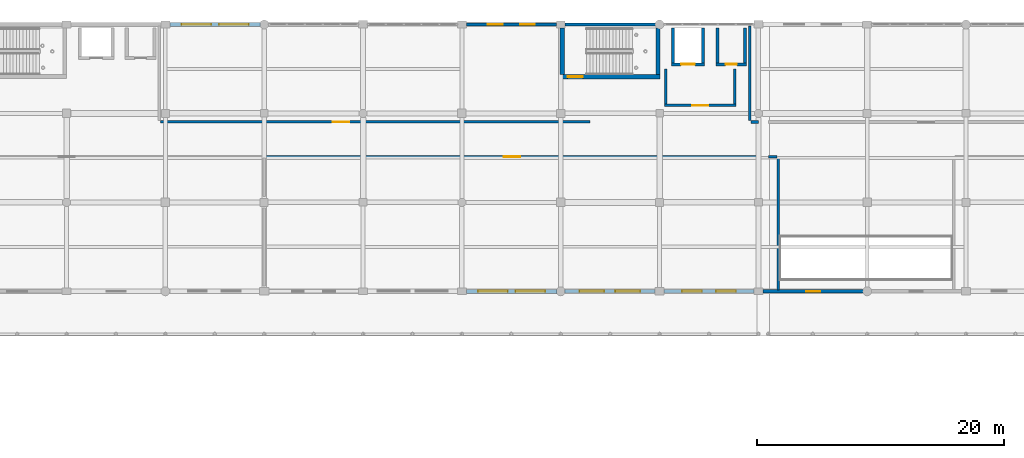
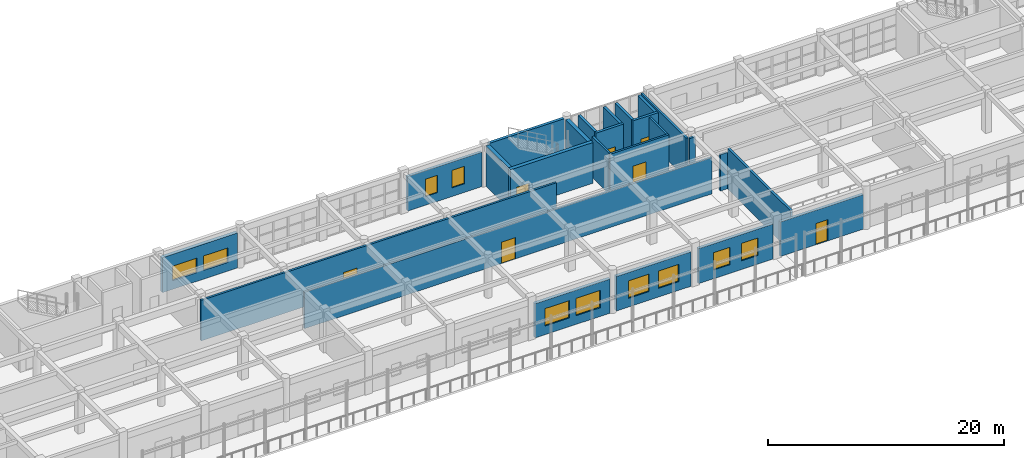
# One storey, part 132 of 160: 25 walls, 10 windows, 7 doors, 17 openings.
"""IFC4 building model written with IfcOpenShell, lengths in metres."""

from ifc_helpers import new_model, si_unit, direction, frame, frame_2d, origin, place, context, subcontext, project, spatial, rectangle, extrude, material, layer, layer_set, type_object, element, fill, save


model = new_model("IFC4")

# Units and contexts
model_context = context("Model", 3, precision=1e-05, world=origin(), true_north=direction((0.0, 1.0)))
body_context = subcontext(model_context, "Body", "Model", "MODEL_VIEW")
ifc_project = project(units=[si_unit("LENGTHUNIT", "METRE"), si_unit("AREAUNIT", "SQUARE_METRE"), si_unit("VOLUMEUNIT", "CUBIC_METRE"), si_unit("PLANEANGLEUNIT", "RADIAN"), si_unit("MASSUNIT", "GRAM", prefix="KILO")], contexts=[model_context])

# Site, building, storey
site_placement = place(None, origin())
site = spatial("IfcSite", under=ifc_project, at=site_placement, CompositionType="ELEMENT")
building_placement = place(site_placement, origin())
building = spatial("IfcBuilding", under=site, at=building_placement, Name="Kharva Crest Polytechnic", CompositionType="ELEMENT")
storey_placement = place(building_placement, frame((0.0, 0.0, 4.5)))
storey = spatial("IfcBuildingStorey", under=building, at=storey_placement, Name="L01", CompositionType="ELEMENT", Elevation=4.5)

# Wall, opening, door
ifc_material_1 = material(Name="Concrete C40/50", Category="concrete")
ifc_layer_1 = layer(ifc_material_1, 0.35009765625, Name="Concrete C40/50")
ifc_layer_set_1 = layer_set([ifc_layer_1], Name="Concrete C40/50")
wall_type_1 = type_object("IfcWallType", Name="WL-CORE-CW1-350", PredefinedType="SHEAR", material=ifc_layer_set_1)
wall_1_placement = place(storey_placement, frame((103.949951171875, 117.764892578125, 0.0), z_axis=(0.0, 0.0, 1.0), x_axis=(1.0, 0.0, 0.0)))
wall_1 = element("IfcWall", 1, at=wall_1_placement, inside=storey, type_object=wall_type_1, Name="L01 North Crest Firefighting Core C4 South Shear Wall", PredefinedType="SHEAR", context=body_context, shape_type="SweptSolid", body=[
    extrude(rectangle(XDim=8.10009765625, YDim=0.35009765625, at=frame_2d((4.050048828125, 0.0))), origin(), (0.0, 0.0, 1.0), 4.219970703125),
])
opening_1_placement = place(wall_1_placement, frame((0.60009765625, 0.0, 0.0)))
opening_1 = element("IfcOpeningElement", 2, at=opening_1_placement, cuts=wall_1, Name="Opening FD1B", PredefinedType="OPENING", context=body_context, shape_type="SweptSolid", body=[
    extrude(rectangle(XDim=1.25, YDim=2.199951171875, at=frame_2d((0.625, 1.10009765625))), frame((0.0, 0.18505859375, 0.0), z_axis=(0.0, -1.0, 0.0), x_axis=(1.0, 0.0, 0.0)), (0.0, 0.0, 1.0), 0.3701171875),
])
ifc_material_2 = material(Name="Teak timber", Category="wood")
door_type_1 = type_object("IfcDoorType", Name="DR-STAIR-1250X2200", OperationType="NOTDEFINED", PredefinedType="DOOR", material=ifc_material_2)
door_1_placement = place(opening_1_placement, origin())
door_1 = element("IfcDoor", 3, at=door_1_placement, inside=storey, type_object=door_type_1, Name="L01 ST-04 Stair Door", OperationType="SINGLE_SWING_RIGHT", OverallHeight=2.199951171875, OverallWidth=1.25, PredefinedType="DOOR", context=body_context, shape_type="SweptSolid", body=[
    extrude(rectangle(XDim=1.25, YDim=2.199951171875, at=frame_2d((0.625, 1.10009765625))), frame((0.0, 0.02490234375, 0.0), z_axis=(0.0, -1.0, 0.0), x_axis=(1.0, 0.0, 0.0)), (0.0, 0.0, 1.0), 0.050048828125),
])
fill(opening_1, door_1)

# Walls
for number, where, z_axis, x_axis, name in (
    (4, (104.125, 117.93994140625, 0.0), (0.0, 0.0, 1.0), (0.0, 1.0, 0.0), "L01 North Crest Firefighting Core C4 West Shear Wall"),
    (5, (111.875, 117.93994140625, 0.0), (0.0, 0.0, 1.0), (0.0, 1.0, 0.0), "L01 North Crest Firefighting Core C4 East Shear Wall"),
):
    element("IfcWall", number, at=place(storey_placement, frame(where, z_axis=z_axis, x_axis=x_axis)), inside=storey, type_object=wall_type_1, Name=name, PredefinedType="SHEAR", context=body_context, shape_type="SweptSolid", body=[
        extrude(rectangle(XDim=3.760009765625, YDim=0.35009765625, at=frame_2d((1.8798828125, 0.0))), origin(), (0.0, 0.0, 1.0), 4.219970703125),
    ])

# Wall, openings, windows
ifc_material_3 = material(Name="Kiln brick masonry", Category="masonry")
ifc_layer_2 = layer(ifc_material_3, 0.260009765625, Name="Kiln brick masonry")
ifc_layer_set_2 = layer_set([ifc_layer_2], Name="Kiln brick masonry")
wall_type_2 = type_object("IfcWallType", Name="WL-EXT-BRK-260", PredefinedType="SOLIDWALL", material=ifc_layer_set_2)
wall_2_placement = place(storey_placement, frame((103.64501953125, 122.0, 0.0), z_axis=(0.0, 0.0, 1.0), x_axis=(-1.0, 0.0, 0.0)))
wall_2 = element("IfcWall", 6, at=wall_2_placement, inside=storey, type_object=wall_type_2, Name="L01 Exterior Brick Wall 206", PredefinedType="SOLIDWALL", context=body_context, shape_type="SweptSolid", body=[
    extrude(rectangle(XDim=7.27490234375, YDim=0.260009765625, at=frame_2d((3.637451171875, 0.0))), origin(), (0.0, 0.0, 1.0), 3.570068359375),
])
opening_2_placement = place(wall_2_placement, frame((1.73193359375, 0.0, 0.89990234375)))
opening_2 = element("IfcOpeningElement", 7, at=opening_2_placement, cuts=wall_2, Name="Opening W08", PredefinedType="OPENING", context=body_context, shape_type="SweptSolid", body=[
    extrude(rectangle(XDim=1.199951171875, YDim=1.800048828125, at=frame_2d((0.60009765625, 0.89990234375))), frame((0.0, 0.139892578125, 0.0), z_axis=(0.0, -1.0, 0.0), x_axis=(1.0, 0.0, 0.0)), (0.0, 0.0, 1.0), 0.280029296875),
])
opening_3_placement = place(wall_2_placement, frame((4.343017578125, 0.0, 0.89990234375)))
opening_3 = element("IfcOpeningElement", 8, at=opening_3_placement, cuts=wall_2, Name="Opening W08", PredefinedType="OPENING", context=body_context, shape_type="SweptSolid", body=[
    extrude(rectangle(XDim=1.199951171875, YDim=1.800048828125, at=frame_2d((0.60009765625, 0.89990234375))), frame((0.0, 0.139892578125, 0.0), z_axis=(0.0, -1.0, 0.0), x_axis=(1.0, 0.0, 0.0)), (0.0, 0.0, 1.0), 0.280029296875),
])
ifc_material_4 = material(Name="Anodised aluminium", Category="aluminium")
window_type_1 = type_object("IfcWindowType", Name="WIN-ALU-1200X1800", PartitioningType="SINGLE_PANEL", PredefinedType="WINDOW", material=ifc_material_4)
window_1_placement = place(opening_2_placement, origin())
window_1 = element("IfcWindow", 9, at=window_1_placement, inside=storey, type_object=window_type_1, Name="L01 Exterior Window 270", OverallHeight=1.800048828125, OverallWidth=1.199951171875, PartitioningType="SINGLE_PANEL", PredefinedType="WINDOW", context=body_context, shape_type="SweptSolid", body=[
    extrude(rectangle(XDim=1.199951171875, YDim=1.800048828125, at=frame_2d((0.60009765625, 0.89990234375))), frame((0.0, 0.030029296875, 0.0), z_axis=(0.0, -1.0, 0.0), x_axis=(1.0, 0.0, 0.0)), (0.0, 0.0, 1.0), 0.06005859375),
])
fill(opening_2, window_1)
window_2_placement = place(opening_3_placement, origin())
window_2 = element("IfcWindow", 10, at=window_2_placement, inside=storey, type_object=window_type_1, Name="L01 Exterior Window 271", OverallHeight=1.800048828125, OverallWidth=1.199951171875, PartitioningType="SINGLE_PANEL", PredefinedType="WINDOW", context=body_context, shape_type="SweptSolid", body=[
    extrude(rectangle(XDim=1.199951171875, YDim=1.800048828125, at=frame_2d((0.60009765625, 0.89990234375))), frame((0.0, 0.030029296875, 0.0), z_axis=(0.0, -1.0, 0.0), x_axis=(1.0, 0.0, 0.0)), (0.0, 0.0, 1.0), 0.06005859375),
])
fill(opening_3, window_2)

# Wall, opening, door
ifc_layer_3 = layer(ifc_material_3, 0.27490234375, Name="Kiln brick masonry")
ifc_layer_set_3 = layer_set([ifc_layer_3], Name="Kiln brick masonry")
wall_type_3 = type_object("IfcWallType", Name="WL-EXT-BRK-275", PredefinedType="SOLIDWALL", material=ifc_layer_set_3)
wall_3_placement = place(storey_placement, frame((120.3701171875, 100.39990234375, 0.0), z_axis=(0.0, 0.0, 1.0), x_axis=(1.0, 0.0, 0.0)))
wall_3 = element("IfcWall", 11, at=wall_3_placement, inside=storey, type_object=wall_type_3, Name="L01 Exterior Brick Wall 187", PredefinedType="SOLIDWALL", context=body_context, shape_type="SweptSolid", body=[
    extrude(rectangle(XDim=8.12744140625, YDim=0.27490234375, at=frame_2d((4.063720703125, 0.0))), origin(), (0.0, 0.0, 1.0), 3.570068359375),
])
opening_4_placement = place(wall_3_placement, frame((3.489013671875, 0.0, 0.0)))
opening_4 = element("IfcOpeningElement", 12, at=opening_4_placement, cuts=wall_3, Name="Opening ED9", PredefinedType="OPENING", context=body_context, shape_type="SweptSolid", body=[
    extrude(rectangle(XDim=1.14990234375, YDim=2.199951171875, at=frame_2d((0.574951171875, 1.10009765625))), frame((0.0, 0.1474609375, 0.0), z_axis=(0.0, -1.0, 0.0), x_axis=(1.0, 0.0, 0.0)), (0.0, 0.0, 1.0), 0.294921875),
])
door_type_2 = type_object("IfcDoorType", Name="DR-EXT-TER-1150X2200", OperationType="NOTDEFINED", PredefinedType="DOOR", material=ifc_material_4)
door_2_placement = place(opening_4_placement, frame((1.14990234375, 0.0, 0.0), z_axis=(0.0, 0.0, 1.0), x_axis=(-1.0, 0.0, 0.0)))
door_2 = element("IfcDoor", 13, at=door_2_placement, inside=storey, type_object=door_type_2, Name="L01 VER_N_L01 Access Door 38", OperationType="SINGLE_SWING_RIGHT", OverallHeight=2.199951171875, OverallWidth=1.14990234375, PredefinedType="DOOR", context=body_context, shape_type="SweptSolid", body=[
    extrude(rectangle(XDim=1.14990234375, YDim=2.199951171875, at=frame_2d((0.574951171875, 1.10009765625))), frame((0.0, 0.02490234375, 0.0), z_axis=(0.0, -1.0, 0.0), x_axis=(1.0, 0.0, 0.0)), (0.0, 0.0, 1.0), 0.050048828125),
])
fill(opening_4, door_2)

# Wall
wall_4_placement = place(storey_placement, frame((111.697509765625, 122.0, 0.0), z_axis=(0.0, 0.0, 1.0), x_axis=(-1.0, 0.0, 0.0)))
element("IfcWall", 14, at=wall_4_placement, inside=storey, type_object=wall_type_3, Name="L01 Exterior Brick Wall 205", PredefinedType="SOLIDWALL", context=body_context, shape_type="SweptSolid", body=[
    extrude(rectangle(XDim=7.342529296875, YDim=0.27490234375, at=frame_2d((3.67138671875, 0.0))), origin(), (0.0, 0.0, 1.0), 4.219970703125),
])

# Wall, openings, windows
ifc_layer_4 = layer(ifc_material_3, 0.2900390625, Name="Kiln brick masonry")
ifc_layer_set_4 = layer_set([ifc_layer_4], Name="Kiln brick masonry")
wall_type_4 = type_object("IfcWallType", Name="WL-EXT-BRK-290", PredefinedType="SOLIDWALL", material=ifc_layer_set_4)
wall_5_placement = place(storey_placement, frame((112.3701171875, 100.39990234375, 0.0), z_axis=(0.0, 0.0, 1.0), x_axis=(1.0, 0.0, 0.0)))
wall_5 = element("IfcWall", 15, at=wall_5_placement, inside=storey, type_object=wall_type_4, Name="L01 Exterior Brick Wall 186", PredefinedType="SOLIDWALL", context=body_context, shape_type="SweptSolid", body=[
    extrude(rectangle(XDim=7.259765625, YDim=0.2900390625, at=frame_2d((3.6298828125, 0.0))), origin(), (0.0, 0.0, 1.0), 3.6201171875),
])
opening_5_placement = place(wall_5_placement, frame((1.4599609375, 0.0, 0.89990234375)))
opening_5 = element("IfcOpeningElement", 16, at=opening_5_placement, cuts=wall_5, Name="Opening W06", PredefinedType="OPENING", context=body_context, shape_type="SweptSolid", body=[
    extrude(rectangle(XDim=1.60009765625, YDim=1.800048828125, at=frame_2d((0.800048828125, 0.89990234375))), frame((0.0, 0.155029296875, 0.0), z_axis=(0.0, -1.0, 0.0), x_axis=(1.0, 0.0, 0.0)), (0.0, 0.0, 1.0), 0.31005859375),
])
opening_6_placement = place(wall_5_placement, frame((4.199951171875, 0.0, 0.89990234375)))
opening_6 = element("IfcOpeningElement", 17, at=opening_6_placement, cuts=wall_5, Name="Opening W06", PredefinedType="OPENING", context=body_context, shape_type="SweptSolid", body=[
    extrude(rectangle(XDim=1.60009765625, YDim=1.800048828125, at=frame_2d((0.800048828125, 0.89990234375))), frame((0.0, 0.155029296875, 0.0), z_axis=(0.0, -1.0, 0.0), x_axis=(1.0, 0.0, 0.0)), (0.0, 0.0, 1.0), 0.31005859375),
])
window_type_2 = type_object("IfcWindowType", Name="WIN-ALU-1600X1800", PartitioningType="SINGLE_PANEL", PredefinedType="WINDOW", material=ifc_material_4)
window_3_placement = place(opening_5_placement, origin())
window_3 = element("IfcWindow", 18, at=window_3_placement, inside=storey, type_object=window_type_2, Name="L01 Exterior Window 244", OverallHeight=1.800048828125, OverallWidth=1.60009765625, PartitioningType="SINGLE_PANEL", PredefinedType="WINDOW", context=body_context, shape_type="SweptSolid", body=[
    extrude(rectangle(XDim=1.60009765625, YDim=1.800048828125, at=frame_2d((0.800048828125, 0.89990234375))), frame((0.0, 0.030029296875, 0.0), z_axis=(0.0, -1.0, 0.0), x_axis=(1.0, 0.0, 0.0)), (0.0, 0.0, 1.0), 0.06005859375),
])
fill(opening_5, window_3)
window_4_placement = place(opening_6_placement, origin())
window_4 = element("IfcWindow", 19, at=window_4_placement, inside=storey, type_object=window_type_2, Name="L01 Exterior Window 245", OverallHeight=1.800048828125, OverallWidth=1.60009765625, PartitioningType="SINGLE_PANEL", PredefinedType="WINDOW", context=body_context, shape_type="SweptSolid", body=[
    extrude(rectangle(XDim=1.60009765625, YDim=1.800048828125, at=frame_2d((0.800048828125, 0.89990234375))), frame((0.0, 0.030029296875, 0.0), z_axis=(0.0, -1.0, 0.0), x_axis=(1.0, 0.0, 0.0)), (0.0, 0.0, 1.0), 0.06005859375),
])
fill(opening_6, window_4)

ifc_layer_5 = layer(ifc_material_3, 0.304931640625, Name="Kiln brick masonry")
ifc_layer_set_5 = layer_set([ifc_layer_5], Name="Kiln brick masonry")
wall_type_5 = type_object("IfcWallType", Name="WL-EXT-BRK-305", PredefinedType="SOLIDWALL", material=ifc_layer_set_5)
wall_6_placement = place(storey_placement, frame((104.302490234375, 100.39990234375, 0.0), z_axis=(0.0, 0.0, 1.0), x_axis=(1.0, 0.0, 0.0)))
wall_6 = element("IfcWall", 20, at=wall_6_placement, inside=storey, type_object=wall_type_5, Name="L01 Exterior Brick Wall 185", PredefinedType="SOLIDWALL", context=body_context, shape_type="SweptSolid", body=[
    extrude(rectangle(XDim=7.327392578125, YDim=0.304931640625, at=frame_2d((3.66357421875, 0.0))), origin(), (0.0, 0.0, 1.0), 3.570068359375),
])
opening_7_placement = place(wall_6_placement, frame((1.216064453125, 0.0, 0.89990234375)))
opening_7 = element("IfcOpeningElement", 21, at=opening_7_placement, cuts=wall_6, Name="Opening W04", PredefinedType="OPENING", context=body_context, shape_type="SweptSolid", body=[
    extrude(rectangle(XDim=2.0, YDim=1.800048828125, at=frame_2d((1.0, 0.89990234375))), frame((0.0, 0.162353515625, 0.0), z_axis=(0.0, -1.0, 0.0), x_axis=(1.0, 0.0, 0.0)), (0.0, 0.0, 1.0), 0.324951171875),
])
opening_8_placement = place(wall_6_placement, frame((4.112060546875, 0.0, 0.89990234375)))
opening_8 = element("IfcOpeningElement", 22, at=opening_8_placement, cuts=wall_6, Name="Opening W04", PredefinedType="OPENING", context=body_context, shape_type="SweptSolid", body=[
    extrude(rectangle(XDim=2.0, YDim=1.800048828125, at=frame_2d((1.0, 0.89990234375))), frame((0.0, 0.162353515625, 0.0), z_axis=(0.0, -1.0, 0.0), x_axis=(1.0, 0.0, 0.0)), (0.0, 0.0, 1.0), 0.324951171875),
])
window_type_3 = type_object("IfcWindowType", Name="WIN-ALU-2000X1800", PartitioningType="SINGLE_PANEL", PredefinedType="WINDOW", material=ifc_material_4)
window_5_placement = place(opening_7_placement, origin())
window_5 = element("IfcWindow", 23, at=window_5_placement, inside=storey, type_object=window_type_3, Name="L01 Exterior Window 242", OverallHeight=1.800048828125, OverallWidth=2.0, PartitioningType="SINGLE_PANEL", PredefinedType="WINDOW", context=body_context, shape_type="SweptSolid", body=[
    extrude(rectangle(XDim=2.0, YDim=1.800048828125, at=frame_2d((1.0, 0.89990234375))), frame((0.0, 0.030029296875, 0.0), z_axis=(0.0, -1.0, 0.0), x_axis=(1.0, 0.0, 0.0)), (0.0, 0.0, 1.0), 0.06005859375),
])
fill(opening_7, window_5)
window_6_placement = place(opening_8_placement, origin())
window_6 = element("IfcWindow", 24, at=window_6_placement, inside=storey, type_object=window_type_3, Name="L01 Exterior Window 243", OverallHeight=1.800048828125, OverallWidth=2.0, PartitioningType="SINGLE_PANEL", PredefinedType="WINDOW", context=body_context, shape_type="SweptSolid", body=[
    extrude(rectangle(XDim=2.0, YDim=1.800048828125, at=frame_2d((1.0, 0.89990234375))), frame((0.0, 0.030029296875, 0.0), z_axis=(0.0, -1.0, 0.0), x_axis=(1.0, 0.0, 0.0)), (0.0, 0.0, 1.0), 0.06005859375),
])
fill(opening_8, window_6)

ifc_layer_6 = layer(ifc_material_3, 0.320068359375, Name="Kiln brick masonry")
ifc_layer_set_6 = layer_set([ifc_layer_6], Name="Kiln brick masonry")
wall_type_6 = type_object("IfcWallType", Name="WL-EXT-BRK-320", PredefinedType="SOLIDWALL", material=ifc_layer_set_6)
wall_7_placement = place(storey_placement, frame((96.35498046875, 100.39990234375, 0.0), z_axis=(0.0, 0.0, 1.0), x_axis=(1.0, 0.0, 0.0)))
wall_7 = element("IfcWall", 25, at=wall_7_placement, inside=storey, type_object=wall_type_6, Name="L01 Exterior Brick Wall 184", PredefinedType="SOLIDWALL", context=body_context, shape_type="SweptSolid", body=[
    extrude(rectangle(XDim=7.342529296875, YDim=0.320068359375, at=frame_2d((3.67138671875, 0.0))), origin(), (0.0, 0.0, 1.0), 3.5400390625),
])
opening_9_placement = place(wall_7_placement, frame((0.9541015625, 0.0, 0.89990234375)))
opening_9 = element("IfcOpeningElement", 26, at=opening_9_placement, cuts=wall_7, Name="Opening W02", PredefinedType="OPENING", context=body_context, shape_type="SweptSolid", body=[
    extrude(rectangle(XDim=2.39990234375, YDim=1.800048828125, at=frame_2d((1.199951171875, 0.89990234375))), frame((0.0, 0.169921875, 0.0), z_axis=(0.0, -1.0, 0.0), x_axis=(1.0, 0.0, 0.0)), (0.0, 0.0, 1.0), 0.340087890625),
])
opening_10_placement = place(wall_7_placement, frame((3.988037109375, 0.0, 0.89990234375)))
opening_10 = element("IfcOpeningElement", 27, at=opening_10_placement, cuts=wall_7, Name="Opening W02", PredefinedType="OPENING", context=body_context, shape_type="SweptSolid", body=[
    extrude(rectangle(XDim=2.39990234375, YDim=1.800048828125, at=frame_2d((1.199951171875, 0.89990234375))), frame((0.0, 0.169921875, 0.0), z_axis=(0.0, -1.0, 0.0), x_axis=(1.0, 0.0, 0.0)), (0.0, 0.0, 1.0), 0.340087890625),
])
window_type_4 = type_object("IfcWindowType", Name="WIN-ALU-2400X1800", PartitioningType="SINGLE_PANEL", PredefinedType="WINDOW", material=ifc_material_4)
window_7_placement = place(opening_9_placement, origin())
window_7 = element("IfcWindow", 28, at=window_7_placement, inside=storey, type_object=window_type_4, Name="L01 Exterior Window 240", OverallHeight=1.800048828125, OverallWidth=2.39990234375, PartitioningType="SINGLE_PANEL", PredefinedType="WINDOW", context=body_context, shape_type="SweptSolid", body=[
    extrude(rectangle(XDim=2.39990234375, YDim=1.800048828125, at=frame_2d((1.199951171875, 0.89990234375))), frame((0.0, 0.030029296875, 0.0), z_axis=(0.0, -1.0, 0.0), x_axis=(1.0, 0.0, 0.0)), (0.0, 0.0, 1.0), 0.06005859375),
])
fill(opening_9, window_7)
window_8_placement = place(opening_10_placement, origin())
window_8 = element("IfcWindow", 29, at=window_8_placement, inside=storey, type_object=window_type_4, Name="L01 Exterior Window 241", OverallHeight=1.800048828125, OverallWidth=2.39990234375, PartitioningType="SINGLE_PANEL", PredefinedType="WINDOW", context=body_context, shape_type="SweptSolid", body=[
    extrude(rectangle(XDim=2.39990234375, YDim=1.800048828125, at=frame_2d((1.199951171875, 0.89990234375))), frame((0.0, 0.030029296875, 0.0), z_axis=(0.0, -1.0, 0.0), x_axis=(1.0, 0.0, 0.0)), (0.0, 0.0, 1.0), 0.06005859375),
])
fill(opening_10, window_8)

ifc_layer_7 = layer(ifc_material_3, 0.35009765625, Name="Kiln brick masonry")
ifc_layer_set_7 = layer_set([ifc_layer_7], Name="Kiln brick masonry")
wall_type_7 = type_object("IfcWallType", Name="WL-EXT-BRK-350", PredefinedType="SOLIDWALL", material=ifc_layer_set_7)
wall_8_placement = place(storey_placement, frame((79.697509765625, 122.0, 0.0), z_axis=(0.0, 0.0, 1.0), x_axis=(-1.0, 0.0, 0.0)))
wall_8 = element("IfcWall", 30, at=wall_8_placement, inside=storey, type_object=wall_type_7, Name="L01 Exterior Brick Wall 207", PredefinedType="SOLIDWALL", context=body_context, shape_type="SweptSolid", body=[
    extrude(rectangle(XDim=7.342529296875, YDim=0.35009765625, at=frame_2d((3.67138671875, 0.0))), origin(), (0.0, 0.0, 1.0), 3.6201171875),
])
opening_11_placement = place(wall_8_placement, frame((0.9541015625, 0.0, 0.89990234375)))
opening_11 = element("IfcOpeningElement", 31, at=opening_11_placement, cuts=wall_8, Name="Opening W10", PredefinedType="OPENING", context=body_context, shape_type="SweptSolid", body=[
    extrude(rectangle(XDim=2.39990234375, YDim=1.5, at=frame_2d((1.199951171875, 0.75))), frame((0.0, 0.18505859375, 0.0), z_axis=(0.0, -1.0, 0.0), x_axis=(1.0, 0.0, 0.0)), (0.0, 0.0, 1.0), 0.3701171875),
])
opening_12_placement = place(wall_8_placement, frame((3.988037109375, 0.0, 0.89990234375)))
opening_12 = element("IfcOpeningElement", 32, at=opening_12_placement, cuts=wall_8, Name="Opening W10", PredefinedType="OPENING", context=body_context, shape_type="SweptSolid", body=[
    extrude(rectangle(XDim=2.39990234375, YDim=1.5, at=frame_2d((1.199951171875, 0.75))), frame((0.0, 0.18505859375, 0.0), z_axis=(0.0, -1.0, 0.0), x_axis=(1.0, 0.0, 0.0)), (0.0, 0.0, 1.0), 0.3701171875),
])
window_type_5 = type_object("IfcWindowType", Name="WIN-ALU-2400X1500", PartitioningType="SINGLE_PANEL", PredefinedType="WINDOW", material=ifc_material_4)
window_9_placement = place(opening_11_placement, origin())
window_9 = element("IfcWindow", 33, at=window_9_placement, inside=storey, type_object=window_type_5, Name="L01 Exterior Window 272", OverallHeight=1.5, OverallWidth=2.39990234375, PartitioningType="SINGLE_PANEL", PredefinedType="WINDOW", context=body_context, shape_type="SweptSolid", body=[
    extrude(rectangle(XDim=2.39990234375, YDim=1.5, at=frame_2d((1.199951171875, 0.75))), frame((0.0, 0.030029296875, 0.0), z_axis=(0.0, -1.0, 0.0), x_axis=(1.0, 0.0, 0.0)), (0.0, 0.0, 1.0), 0.06005859375),
])
fill(opening_11, window_9)
window_10_placement = place(opening_12_placement, origin())
window_10 = element("IfcWindow", 34, at=window_10_placement, inside=storey, type_object=window_type_5, Name="L01 Exterior Window 273", OverallHeight=1.5, OverallWidth=2.39990234375, PartitioningType="SINGLE_PANEL", PredefinedType="WINDOW", context=body_context, shape_type="SweptSolid", body=[
    extrude(rectangle(XDim=2.39990234375, YDim=1.5, at=frame_2d((1.199951171875, 0.75))), frame((0.0, 0.030029296875, 0.0), z_axis=(0.0, -1.0, 0.0), x_axis=(1.0, 0.0, 0.0)), (0.0, 0.0, 1.0), 0.06005859375),
])
fill(opening_12, window_10)

# Wall, opening, door
ifc_layer_8 = layer(ifc_material_3, 0.199951171875, Name="Kiln brick masonry")
ifc_layer_set_8 = layer_set([ifc_layer_8], Name="Kiln brick masonry")
wall_type_8 = type_object("IfcWallType", Name="WL-FIRE-FW1-200", PredefinedType="SOLIDWALL", material=ifc_layer_set_8)
wall_9_placement = place(storey_placement, frame((112.39990234375, 115.449951171875, 0.0), z_axis=(0.0, 0.0, 1.0), x_axis=(1.0, 0.0, 0.0)))
wall_9 = element("IfcWall", 35, at=wall_9_placement, inside=storey, type_object=wall_type_8, Name="L01 Firefighting Lobby FL1 South Wall", PredefinedType="SOLIDWALL", context=body_context, shape_type="SweptSolid", body=[
    extrude(rectangle(XDim=5.800048828125, YDim=0.199951171875, at=frame_2d((2.89990234375, 0.0))), origin(), (0.0, 0.0, 1.0), 4.219970703125),
])
opening_13_placement = place(wall_9_placement, frame((2.25, 0.0, 0.0)))
opening_13 = element("IfcOpeningElement", 36, at=opening_13_placement, cuts=wall_9, Name="Opening FD2", PredefinedType="OPENING", context=body_context, shape_type="SweptSolid", body=[
    extrude(rectangle(XDim=1.300048828125, YDim=2.199951171875, at=frame_2d((0.64990234375, 1.10009765625))), frame((0.0, 0.10986328125, 0.0), z_axis=(0.0, -1.0, 0.0), x_axis=(1.0, 0.0, 0.0)), (0.0, 0.0, 1.0), 0.219970703125),
])
door_type_3 = type_object("IfcDoorType", Name="DR-FFLOB-1300X2200", OperationType="NOTDEFINED", PredefinedType="DOOR", material=ifc_material_2)
door_3_placement = place(opening_13_placement, origin())
door_3 = element("IfcDoor", 37, at=door_3_placement, inside=storey, type_object=door_type_3, Name="L01 Firefighting Lobby FL1 Smoke Door", OperationType="SINGLE_SWING_LEFT", OverallHeight=2.199951171875, OverallWidth=1.300048828125, PredefinedType="DOOR", context=body_context, shape_type="SweptSolid", body=[
    extrude(rectangle(XDim=1.300048828125, YDim=2.199951171875, at=frame_2d((0.64990234375, 1.10009765625))), frame((0.0, 0.02490234375, 0.0), z_axis=(0.0, -1.0, 0.0), x_axis=(1.0, 0.0, 0.0)), (0.0, 0.0, 1.0), 0.050048828125),
])
fill(opening_13, door_3)

# Walls
for number, where, z_axis, x_axis, name in (
    (38, (112.5, 115.550048828125, 0.0), (0.0, 0.0, 1.0), (0.0, 1.0, 0.0), "L01 Firefighting Lobby FL1 West Wall"),
    (39, (118.10009765625, 115.550048828125, 0.0), (0.0, 0.0, 1.0), (0.0, 1.0, 0.0), "L01 Firefighting Lobby FL1 East Wall"),
):
    element("IfcWall", number, at=place(storey_placement, frame(where, z_axis=z_axis, x_axis=x_axis)), inside=storey, type_object=wall_type_8, Name=name, PredefinedType="SOLIDWALL", context=body_context, shape_type="SweptSolid", body=[
        extrude(rectangle(XDim=2.849853515625, YDim=0.199951171875, at=frame_2d((1.4248046875, 0.0))), origin(), (0.0, 0.0, 1.0), 4.219970703125),
    ])

# Wall, opening, door
wall_10_placement = place(storey_placement, frame((71.610107421875, 114.110107421875, 0.0), z_axis=(0.0, 0.0, 1.0), x_axis=(1.0, 0.0, 0.0)))
wall_10 = element("IfcWall", 40, at=wall_10_placement, inside=storey, type_object=wall_type_8, Name="L01 Interior Partition 183", PredefinedType="SOLIDWALL", context=body_context, shape_type="SweptSolid", body=[
    extrude(rectangle(XDim=34.769775390625, YDim=0.199951171875, at=frame_2d((17.384765625, 0.0))), origin(), (0.0, 0.0, 1.0), 4.199951171875),
])
opening_14_placement = place(wall_10_placement, frame((13.927978515625, 0.0, 0.0)))
opening_14 = element("IfcOpeningElement", 41, at=opening_14_placement, cuts=wall_10, Name="Opening ID6", PredefinedType="OPENING", context=body_context, shape_type="SweptSolid", body=[
    extrude(rectangle(XDim=1.35009765625, YDim=2.199951171875, at=frame_2d((0.675048828125, 1.10009765625))), frame((0.0, 0.10986328125, 0.0), z_axis=(0.0, -1.0, 0.0), x_axis=(1.0, 0.0, 0.0)), (0.0, 0.0, 1.0), 0.219970703125),
])
door_type_4 = type_object("IfcDoorType", Name="DR-LAB-1350X2200", OperationType="NOTDEFINED", PredefinedType="DOOR", material=ifc_material_2)
door_4_placement = place(opening_14_placement, origin())
door_4 = element("IfcDoor", 42, at=door_4_placement, inside=storey, type_object=door_type_4, Name="L01 Analytical Chemistry Laboratory Door", OperationType="SINGLE_SWING_RIGHT", OverallHeight=2.199951171875, OverallWidth=1.35009765625, PredefinedType="DOOR", context=body_context, shape_type="SweptSolid", body=[
    extrude(rectangle(XDim=1.35009765625, YDim=2.199951171875, at=frame_2d((0.675048828125, 1.10009765625))), frame((0.0, 0.02490234375, 0.0), z_axis=(0.0, -1.0, 0.0), x_axis=(1.0, 0.0, 0.0)), (0.0, 0.0, 1.0), 0.050048828125),
])
fill(opening_14, door_4)

ifc_layer_9 = layer(ifc_material_3, 0.18994140625, Name="Kiln brick masonry")
ifc_layer_set_9 = layer_set([ifc_layer_9], Name="Kiln brick masonry")
wall_type_9 = type_object("IfcWallType", Name="WL-PART-190", PredefinedType="PARTITIONING", material=ifc_layer_set_9)
wall_11_placement = place(storey_placement, frame((80.1201171875, 111.2900390625, 0.0), z_axis=(0.0, 0.0, 1.0), x_axis=(1.0, 0.0, 0.0)))
wall_11 = element("IfcWall", 43, at=wall_11_placement, inside=storey, type_object=wall_type_9, Name="L01 Interior Partition 175 W", PredefinedType="PARTITIONING", context=body_context, shape_type="SweptSolid", body=[
    extrude(rectangle(XDim=39.8798828125, YDim=0.18994140625, at=frame_2d((19.93994140625, 0.0))), origin(), (0.0, 0.0, 1.0), 3.760009765625),
])
opening_15_placement = place(wall_11_placement, frame((19.264892578125, 0.0, 0.0)))
opening_15 = element("IfcOpeningElement", 44, at=opening_15_placement, cuts=wall_11, Name="Opening ID6", PredefinedType="OPENING", context=body_context, shape_type="SweptSolid", body=[
    extrude(rectangle(XDim=1.35009765625, YDim=2.199951171875, at=frame_2d((0.675048828125, 1.10009765625))), frame((0.0, 0.10498046875, 0.0), z_axis=(0.0, -1.0, 0.0), x_axis=(1.0, 0.0, 0.0)), (0.0, 0.0, 1.0), 0.2099609375),
])
door_5_placement = place(opening_15_placement, origin())
door_5 = element("IfcDoor", 45, at=door_5_placement, inside=storey, type_object=door_type_4, Name="L01 Optics and Photonics Laboratory Door", OperationType="SINGLE_SWING_RIGHT", OverallHeight=2.199951171875, OverallWidth=1.35009765625, PredefinedType="DOOR", context=body_context, shape_type="SweptSolid", body=[
    extrude(rectangle(XDim=1.35009765625, YDim=2.199951171875, at=frame_2d((0.675048828125, 1.10009765625))), frame((0.0, 0.02490234375, 0.0), z_axis=(0.0, -1.0, 0.0), x_axis=(1.0, 0.0, 0.0)), (0.0, 0.0, 1.0), 0.050048828125),
])
fill(opening_15, door_5)

# Walls
wall_12_placement = place(storey_placement, frame((120.800048828125, 111.2900390625, 0.0), z_axis=(0.0, 0.0, 1.0), x_axis=(1.0, 0.0, 0.0)))
element("IfcWall", 46, at=wall_12_placement, inside=storey, type_object=wall_type_9, Name="L01 Interior Partition 175 E", PredefinedType="PARTITIONING", context=body_context, shape_type="SweptSolid", body=[
    extrude(rectangle(XDim=0.68994140625, YDim=0.18994140625, at=frame_2d((0.344970703125, 0.0))), origin(), (0.0, 0.0, 1.0), 3.760009765625),
])
ifc_layer_10 = layer(ifc_material_3, 0.205078125, Name="Kiln brick masonry")
ifc_layer_set_10 = layer_set([ifc_layer_10], Name="Kiln brick masonry")
wall_type_10 = type_object("IfcWallType", Name="WL-PART-205", PredefinedType="PARTITIONING", material=ifc_layer_set_10)
wall_13_placement = place(storey_placement, frame((119.300048828125, 114.219970703125, 0.0), z_axis=(0.0, 0.0, 1.0), x_axis=(0.0, 1.0, 0.0)))
element("IfcWall", 47, at=wall_13_placement, inside=storey, type_object=wall_type_10, Name="L01 Interior Partition 186", PredefinedType="PARTITIONING", context=body_context, shape_type="SweptSolid", body=[
    extrude(rectangle(XDim=7.669921875, YDim=0.205078125, at=frame_2d((3.8349609375, 0.0))), origin(), (0.0, 0.0, 1.0), 4.199951171875),
])
ifc_layer_11 = layer(ifc_material_3, 0.215087890625, Name="Kiln brick masonry")
ifc_layer_set_11 = layer_set([ifc_layer_11], Name="Kiln brick masonry")
wall_type_11 = type_object("IfcWallType", Name="WL-PART-215", PredefinedType="PARTITIONING", material=ifc_layer_set_11)
wall_14_placement = place(storey_placement, frame((119.409912109375, 114.110107421875, 0.0), z_axis=(0.0, 0.0, 1.0), x_axis=(1.0, 0.0, 0.0)))
element("IfcWall", 48, at=wall_14_placement, inside=storey, type_object=wall_type_11, Name="L01 Interior Partition 185 W", PredefinedType="PARTITIONING", context=body_context, shape_type="SweptSolid", body=[
    extrude(rectangle(XDim=0.590087890625, YDim=0.215087890625, at=frame_2d((0.294921875, 0.0))), origin(), (0.0, 0.0, 1.0), 4.199951171875),
])
ifc_layer_12 = layer(ifc_material_3, 0.22509765625, Name="Kiln brick masonry")
ifc_layer_set_12 = layer_set([ifc_layer_12], Name="Kiln brick masonry")
wall_type_12 = type_object("IfcWallType", Name="WL-PART-225", PredefinedType="PARTITIONING", material=ifc_layer_set_12)
wall_15_placement = place(storey_placement, frame((121.60009765625, 100.510009765625, 0.0), z_axis=(0.0, 0.0, 1.0), x_axis=(0.0, 1.0, 0.0)))
element("IfcWall", 49, at=wall_15_placement, inside=storey, type_object=wall_type_12, Name="L01 Interior Partition 176", PredefinedType="PARTITIONING", context=body_context, shape_type="SweptSolid", body=[
    extrude(rectangle(XDim=10.669921875, YDim=0.22509765625, at=frame_2d((5.3349609375, 0.0))), origin(), (0.0, 0.0, 1.0), 4.199951171875),
])

# Wall, opening, door
ifc_layer_13 = layer(ifc_material_1, 0.25, Name="Concrete C40/50")
ifc_layer_set_13 = layer_set([ifc_layer_13], Name="Concrete C40/50")
wall_type_13 = type_object("IfcWallType", Name="WL-SHEAR-SW1-250", PredefinedType="SHEAR", material=ifc_layer_set_13)
wall_16_placement = place(storey_placement, frame((112.949951171875, 118.77490234375, 0.0), z_axis=(0.0, 0.0, 1.0), x_axis=(1.0, 0.0, 0.0)))
wall_16 = element("IfcWall", 50, at=wall_16_placement, inside=storey, type_object=wall_type_13, Name="L01 Lift FL1 South Shaft Wall", PredefinedType="SHEAR", context=body_context, shape_type="SweptSolid", body=[
    extrude(rectangle(XDim=2.699951171875, YDim=0.25, at=frame_2d((1.35009765625, 0.0))), origin(), (0.0, 0.0, 1.0), 4.219970703125),
])
opening_16_placement = place(wall_16_placement, frame((0.800048828125, 0.0, 0.0)))
opening_16 = element("IfcOpeningElement", 51, at=opening_16_placement, cuts=wall_16, Name="Opening LD1", PredefinedType="OPENING", context=body_context, shape_type="SweptSolid", body=[
    extrude(rectangle(XDim=1.10009765625, YDim=2.14990234375, at=frame_2d((0.550048828125, 1.074951171875))), frame((0.0, 0.135009765625, 0.0), z_axis=(0.0, -1.0, 0.0), x_axis=(1.0, 0.0, 0.0)), (0.0, 0.0, 1.0), 0.27001953125),
])
door_type_5 = type_object("IfcDoorType", Name="DR-LIFT-LD1-1100X2150", OperationType="SLIDING_TO_LEFT", PredefinedType="DOOR", material=ifc_material_4)
door_6_placement = place(opening_16_placement, origin())
door_6 = element("IfcDoor", 52, at=door_6_placement, inside=storey, type_object=door_type_5, Name="L01 Lift FL1 Sliding Landing Door", OperationType="SLIDING_TO_LEFT", OverallHeight=2.14990234375, OverallWidth=1.10009765625, PredefinedType="DOOR", context=body_context, shape_type="SweptSolid", body=[
    extrude(rectangle(XDim=1.10009765625, YDim=2.14990234375, at=frame_2d((0.550048828125, 1.074951171875))), frame((0.0, 0.02490234375, 0.0), z_axis=(0.0, -1.0, 0.0), x_axis=(1.0, 0.0, 0.0)), (0.0, 0.0, 1.0), 0.050048828125),
])
fill(opening_16, door_6)

# Walls
for number, where, z_axis, x_axis, name in (
    (53, (113.074951171875, 118.89990234375, 0.0), (0.0, 0.0, 1.0), (0.0, 1.0, 0.0), "L01 Lift FL1 West Shaft Wall"),
    (54, (115.52490234375, 118.89990234375, 0.0), (0.0, 0.0, 1.0), (0.0, 1.0, 0.0), "L01 Lift FL1 East Shaft Wall"),
):
    element("IfcWall", number, at=place(storey_placement, frame(where, z_axis=z_axis, x_axis=x_axis)), inside=storey, type_object=wall_type_13, Name=name, PredefinedType="SHEAR", context=body_context, shape_type="SweptSolid", body=[
        extrude(rectangle(XDim=2.800048828125, YDim=0.25, at=frame_2d((1.39990234375, 0.0))), origin(), (0.0, 0.0, 1.0), 4.219970703125),
    ])

# Wall, opening, door
wall_17_placement = place(storey_placement, frame((116.550048828125, 118.77490234375, 0.0), z_axis=(0.0, 0.0, 1.0), x_axis=(1.0, 0.0, 0.0)))
wall_17 = element("IfcWall", 55, at=wall_17_placement, inside=storey, type_object=wall_type_13, Name="L01 Core C4 Riser South Wall", PredefinedType="SHEAR", context=body_context, shape_type="SweptSolid", body=[
    extrude(rectangle(XDim=2.5, YDim=0.25, at=frame_2d((1.25, 0.0))), origin(), (0.0, 0.0, 1.0), 4.219970703125),
])
opening_17_placement = place(wall_17_placement, frame((0.800048828125, 0.0, 0.0)))
opening_17 = element("IfcOpeningElement", 56, at=opening_17_placement, cuts=wall_17, Name="Opening FD3", PredefinedType="OPENING", context=body_context, shape_type="SweptSolid", body=[
    extrude(rectangle(XDim=0.89990234375, YDim=2.050048828125, at=frame_2d((0.449951171875, 1.02490234375))), frame((0.0, 0.135009765625, 0.0), z_axis=(0.0, -1.0, 0.0), x_axis=(1.0, 0.0, 0.0)), (0.0, 0.0, 1.0), 0.27001953125),
])
door_type_6 = type_object("IfcDoorType", Name="DR-RISER-900X2050", OperationType="NOTDEFINED", PredefinedType="DOOR", material=ifc_material_4)
door_7_placement = place(opening_17_placement, origin())
door_7 = element("IfcDoor", 57, at=door_7_placement, inside=storey, type_object=door_type_6, Name="L01 Core C4 Riser Access Door", OperationType="SINGLE_SWING_RIGHT", OverallHeight=2.050048828125, OverallWidth=0.89990234375, PredefinedType="DOOR", context=body_context, shape_type="SweptSolid", body=[
    extrude(rectangle(XDim=0.89990234375, YDim=2.050048828125, at=frame_2d((0.449951171875, 1.02490234375))), frame((0.0, 0.02490234375, 0.0), z_axis=(0.0, -1.0, 0.0), x_axis=(1.0, 0.0, 0.0)), (0.0, 0.0, 1.0), 0.050048828125),
])
fill(opening_17, door_7)

# Walls
for number, where, z_axis, x_axis, name in (
    (58, (116.675048828125, 118.89990234375, 0.0), (0.0, 0.0, 1.0), (0.0, 1.0, 0.0), "L01 Core C4 Riser West Wall"),
    (59, (118.925048828125, 118.89990234375, 0.0), (0.0, 0.0, 1.0), (0.0, 1.0, 0.0), "L01 Core C4 Riser East Wall"),
):
    element("IfcWall", number, at=place(storey_placement, frame(where, z_axis=z_axis, x_axis=x_axis)), inside=storey, type_object=wall_type_13, Name=name, PredefinedType="SHEAR", context=body_context, shape_type="SweptSolid", body=[
        extrude(rectangle(XDim=2.800048828125, YDim=0.25, at=frame_2d((1.39990234375, 0.0))), origin(), (0.0, 0.0, 1.0), 4.219970703125),
    ])

save(model, "model.ifc")
